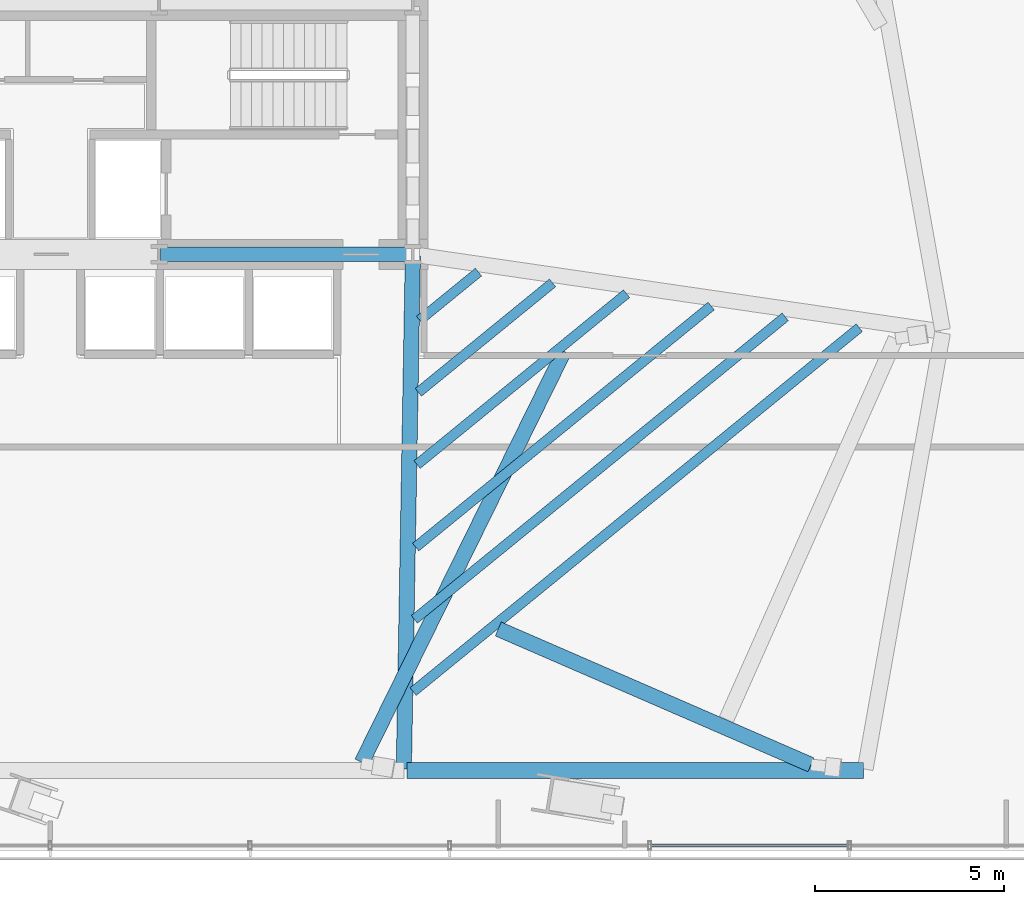
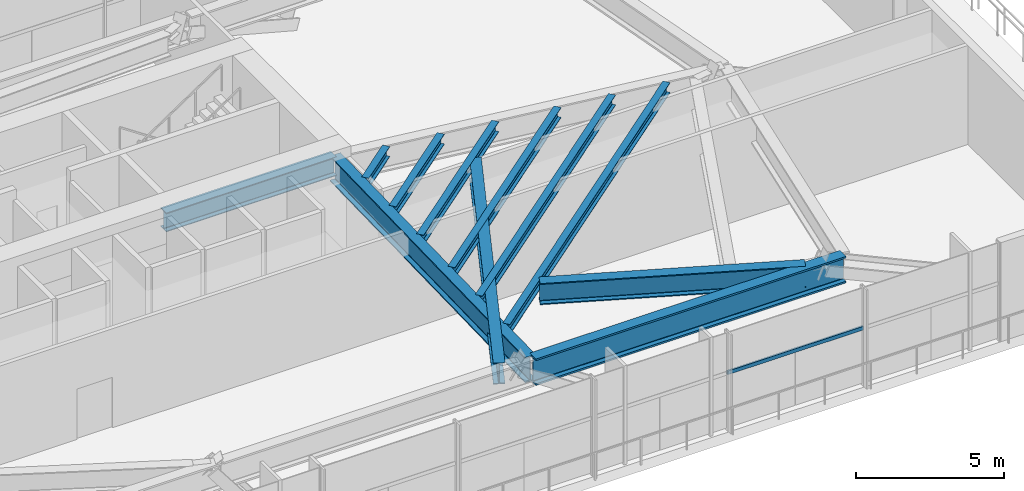
# One storey, part 14 of 29: 11 beams, 1 member, 1 element without a shape of its own.
"""IFC4 building model written with IfcOpenShell, lengths in metres."""

from ifc_helpers import new_model, si_unit, direction, frame, origin, origin_2d, place, context, subcontext, project, spatial, hollow_rectangle, i_section, extrude, source, transform, mapped, material, material_profile, profile_set, type_object, type_shapes, element, aggregate, save


model = new_model("IFC4")

# Units and contexts
model_context = context("Model", 3, precision=1e-05, world=origin(), true_north=direction((0.0, 1.0)))
body_context = subcontext(model_context, "Body", "Model", "MODEL_VIEW")
ifc_project = project(units=[si_unit("LENGTHUNIT", "METRE"), si_unit("AREAUNIT", "SQUARE_METRE"), si_unit("VOLUMEUNIT", "CUBIC_METRE"), si_unit("PLANEANGLEUNIT", "RADIAN"), si_unit("MASSUNIT", "GRAM", prefix="KILO")], contexts=[model_context])

# Site, building, storey
site_placement = place(None, origin())
site = spatial("IfcSite", under=ifc_project, at=site_placement, CompositionType="ELEMENT")
building_placement = place(site_placement, origin())
building = spatial("IfcBuilding", under=site, at=building_placement, Name="Astriad Promenade Condominiums", CompositionType="ELEMENT")
storey_placement = place(building_placement, frame((0.0, 0.0, 18.5)))
storey = spatial("IfcBuildingStorey", under=building, at=storey_placement, Name="L04", CompositionType="ELEMENT", Elevation=18.5)

# Beams
ifc_material_1 = material(Name="Steel ASTM A992 Grade 50", Category="steel")
ifc_material_profile_1 = material_profile(ifc_material_1, i_section(OverallWidth=0.3837890625, OverallDepth=0.785888671875, WebThickness=0.019775390625, FlangeThickness=0.033447265625, FilletRadius=0.021484375, at=origin_2d()), Name="W30X211")
ifc_profile_set_1 = profile_set([ifc_material_profile_1], Name="Steel ASTM A992 Grade 50")
beam_type_1 = type_object("IfcBeamType", Name="STEEL FLOOR GIRDER W30X211", PredefinedType="BEAM", material=ifc_profile_set_1)
shared_shape_1 = source(origin(), body_context, "Body", "SweptSolid", [
    extrude(i_section(OverallWidth=0.3837890625, OverallDepth=0.785888671875, WebThickness=0.019775390625, FlangeThickness=0.033447265625, FilletRadius=0.021484375, at=origin_2d()), origin(), (0.0, 0.0, 1.0), 6.64013671875),
])
type_shapes(beam_type_1, [shared_shape_1])
beam_1_placement = place(storey_placement, frame((38.919921875, 17.39990234375, 3.68701171875), z_axis=(1.0, 0.0, 0.0), x_axis=(0.0, 1.0, 0.0)))
element("IfcBeam", 1, at=beam_1_placement, inside=storey, type_object=beam_type_1, Name="Core Ring Beam CG-S3-L04", PredefinedType="BEAM", context=body_context, shape_type="MappedRepresentation", body=[
    mapped(shared_shape_1, transform((0.0, 0.0, 0.0), scale=1.0)),
])
ifc_material_profile_2 = material_profile(ifc_material_1, i_section(OverallWidth=0.4169921875, OverallDepth=1.093505859375, WebThickness=0.0390625, FlangeThickness=0.070068359375, FilletRadius=0.025390625, at=origin_2d()), Name="W40X503")
ifc_profile_set_2 = profile_set([ifc_material_profile_2], Name="Steel ASTM A992 Grade 50")
beam_type_2 = type_object("IfcBeamType", Name="STEEL TRANSFER GIRDER W40X503", PredefinedType="BEAM", material=ifc_profile_set_2)
shared_shape_2 = source(origin(), body_context, "Body", "SweptSolid", [
    extrude(i_section(OverallWidth=0.4169921875, OverallDepth=1.093505859375, WebThickness=0.0390625, FlangeThickness=0.070068359375, FilletRadius=0.025390625, at=origin_2d()), origin(), (0.0, 0.0, 1.0), 12.09033203125),
])
type_shapes(beam_type_2, [shared_shape_2])
beam_2_placement = place(storey_placement, frame((45.439208984375, 3.732666015625, 3.533203125), z_axis=(1.0, 0.0, 0.0), x_axis=(0.0, 1.0, 0.0)))
element("IfcBeam", 2, at=beam_2_placement, inside=storey, type_object=beam_type_2, Name="Perimeter Spandrel Beam SP-S4-L04", PredefinedType="BEAM", context=body_context, shape_type="MappedRepresentation", body=[
    mapped(shared_shape_2, transform((0.0, 0.0, 0.0), scale=1.0)),
])
ifc_material_profile_3 = material_profile(ifc_material_1, i_section(OverallWidth=0.404052734375, OverallDepth=1.046142578125, WebThickness=0.025390625, FlangeThickness=0.0458984375, FilletRadius=0.025390625, at=origin_2d()), Name="W40X324")
ifc_profile_set_3 = profile_set([ifc_material_profile_3], Name="Steel ASTM A992 Grade 50")
beam_type_3 = type_object("IfcBeamType", Name="STEEL TRANSFER GIRDER W40X324", PredefinedType="BEAM", material=ifc_profile_set_3)
shared_shape_3 = source(origin(), body_context, "Body", "SweptSolid", [
    extrude(i_section(OverallWidth=0.404052734375, OverallDepth=1.046142578125, WebThickness=0.025390625, FlangeThickness=0.0458984375, FilletRadius=0.025390625, at=origin_2d()), origin(), (0.0, 0.0, 1.0), 13.583251953125),
])
type_shapes(beam_type_3, [shared_shape_3])
beam_3_placement = place(storey_placement, frame((45.361083984375, 3.779052734375, 3.556884765625), z_axis=(0.017542421317, 0.999846119888, 0.0), x_axis=(-0.999846119888, 0.017542421317, 0.0)))
element("IfcBeam", 3, at=beam_3_placement, inside=storey, type_object=beam_type_3, Name="Primary Floor Girder PG-E2-L04", PredefinedType="BEAM", context=body_context, shape_type="MappedRepresentation", body=[
    mapped(shared_shape_3, transform((0.0, 0.0, 0.0), scale=1.0)),
])
ifc_material_profile_4 = material_profile(ifc_material_1, i_section(OverallWidth=0.26318359375, OverallDepth=0.425537109375, WebThickness=0.01318359375, FlangeThickness=0.022216796875, FilletRadius=0.013916015625, at=origin_2d()), Name="W16X89")
ifc_profile_set_4 = profile_set([ifc_material_profile_4], Name="Steel ASTM A992 Grade 50")
beam_type_4 = type_object("IfcBeamType", Name="STEEL FLOOR JOIST W16X89", PredefinedType="JOIST", material=ifc_profile_set_4)
shared_shape_4 = source(origin(), body_context, "Body", "SweptSolid", [
    extrude(i_section(OverallWidth=0.26318359375, OverallDepth=0.425537109375, WebThickness=0.01318359375, FlangeThickness=0.022216796875, FilletRadius=0.013916015625, at=origin_2d()), origin(), (0.0, 0.0, 1.0), 15.2451171875),
])
beam_4_placement = place(storey_placement, frame((45.606689453125, 5.8251953125, 3.8671875), z_axis=(0.774928181521, 0.63204929672, 0.0), x_axis=(-0.63204929672, 0.774928181521, 0.0)))
element("IfcBeam", 4, at=beam_4_placement, inside=storey, type_object=beam_type_4, Name="Secondary Composite Floor Joist JE1-1-L04", PredefinedType="JOIST", context=body_context, shape_type="MappedRepresentation", body=[
    mapped(shared_shape_4, transform((0.0, 0.0, 0.0), scale=1.0)),
])
shared_shape_5 = source(origin(), body_context, "Body", "SweptSolid", [
    extrude(i_section(OverallWidth=0.26318359375, OverallDepth=0.425537109375, WebThickness=0.01318359375, FlangeThickness=0.022216796875, FilletRadius=0.013916015625, at=origin_2d()), origin(), (0.0, 0.0, 1.0), 12.67236328125),
])
beam_5_placement = place(storey_placement, frame((45.64013671875, 7.737548828125, 3.8671875), z_axis=(0.774926355114, 0.632051535992, 0.0), x_axis=(-0.632051535992, 0.774926355114, 0.0)))
element("IfcBeam", 5, at=beam_5_placement, inside=storey, type_object=beam_type_4, Name="Secondary Composite Floor Joist JE1-2-L04", PredefinedType="JOIST", context=body_context, shape_type="MappedRepresentation", body=[
    mapped(shared_shape_5, transform((0.0, 0.0, 0.0), scale=1.0)),
])
shared_shape_6 = source(origin(), body_context, "Body", "SweptSolid", [
    extrude(i_section(OverallWidth=0.26318359375, OverallDepth=0.425537109375, WebThickness=0.01318359375, FlangeThickness=0.022216796875, FilletRadius=0.013916015625, at=origin_2d()), origin(), (0.0, 0.0, 1.0), 10.0986328125),
])
beam_6_placement = place(storey_placement, frame((45.673828125, 9.650146484375, 3.8671875), z_axis=(0.774916123185, 0.632064080635, 0.0), x_axis=(-0.632064080635, 0.774916123185, 0.0)))
element("IfcBeam", 6, at=beam_6_placement, inside=storey, type_object=beam_type_4, Name="Secondary Composite Floor Joist JE1-3-L04", PredefinedType="JOIST", context=body_context, shape_type="MappedRepresentation", body=[
    mapped(shared_shape_6, transform((0.0, 0.0, 0.0), scale=1.0)),
])
shared_shape_7 = source(origin(), body_context, "Body", "SweptSolid", [
    extrude(i_section(OverallWidth=0.26318359375, OverallDepth=0.425537109375, WebThickness=0.01318359375, FlangeThickness=0.022216796875, FilletRadius=0.013916015625, at=origin_2d()), origin(), (0.0, 0.0, 1.0), 7.15771484375),
])
beam_7_placement = place(storey_placement, frame((45.712158203125, 11.8359375, 3.8671875), z_axis=(0.774913820032, 0.63206690431, 0.0), x_axis=(-0.63206690431, 0.774913820032, 0.0)))
element("IfcBeam", 7, at=beam_7_placement, inside=storey, type_object=beam_type_4, Name="Secondary Composite Floor Joist JE1-4-L04", PredefinedType="JOIST", context=body_context, shape_type="MappedRepresentation", body=[
    mapped(shared_shape_7, transform((0.0, 0.0, 0.0), scale=1.0)),
])
shared_shape_8 = source(origin(), body_context, "Body", "SweptSolid", [
    extrude(i_section(OverallWidth=0.26318359375, OverallDepth=0.425537109375, WebThickness=0.01318359375, FlangeThickness=0.022216796875, FilletRadius=0.013916015625, at=origin_2d()), origin(), (0.0, 0.0, 1.0), 4.58447265625),
])
beam_8_placement = place(storey_placement, frame((45.74560546875, 13.74853515625, 3.8671875), z_axis=(0.774952876927, 0.632019017549, 0.0), x_axis=(-0.632019017549, 0.774952876927, 0.0)))
element("IfcBeam", 8, at=beam_8_placement, inside=storey, type_object=beam_type_4, Name="Secondary Composite Floor Joist JE1-5-L04", PredefinedType="JOIST", context=body_context, shape_type="MappedRepresentation", body=[
    mapped(shared_shape_8, transform((0.0, 0.0, 0.0), scale=1.0)),
])
shared_shape_9 = source(origin(), body_context, "Body", "SweptSolid", [
    extrude(i_section(OverallWidth=0.26318359375, OverallDepth=0.425537109375, WebThickness=0.01318359375, FlangeThickness=0.022216796875, FilletRadius=0.013916015625, at=origin_2d()), origin(), (0.0, 0.0, 1.0), 2.010986328125),
])
type_shapes(beam_type_4, [shared_shape_4, shared_shape_5, shared_shape_6, shared_shape_7, shared_shape_8, shared_shape_9])
beam_9_placement = place(storey_placement, frame((45.779296875, 15.660888671875, 3.8671875), z_axis=(0.774875974133, 0.632113300534, 0.0), x_axis=(-0.632113300534, 0.774875974133, 0.0)))
element("IfcBeam", 9, at=beam_9_placement, inside=storey, type_object=beam_type_4, Name="Secondary Composite Floor Joist JE1-6-L04", PredefinedType="JOIST", context=body_context, shape_type="MappedRepresentation", body=[
    mapped(shared_shape_9, transform((0.0, 0.0, 0.0), scale=1.0)),
])
ifc_material_profile_5 = material_profile(ifc_material_1, i_section(OverallWidth=0.4013671875, OverallDepth=0.877197265625, WebThickness=0.022216796875, FlangeThickness=0.039794921875, FilletRadius=0.02294921875, at=origin_2d()), Name="W33X263")
ifc_profile_set_5 = profile_set([ifc_material_profile_5], Name="Steel ASTM A992 Grade 50")
beam_type_5 = type_object("IfcBeamType", Name="STEEL TRANSFER CARRIER GIRDER W33X263", PredefinedType="BEAM", material=ifc_profile_set_5)
shared_shape_10 = source(origin(), body_context, "Body", "SweptSolid", [
    extrude(i_section(OverallWidth=0.4013671875, OverallDepth=0.877197265625, WebThickness=0.022216796875, FlangeThickness=0.039794921875, FilletRadius=0.02294921875, at=origin_2d()), origin(), (0.0, 0.0, 1.0), 12.131103515625),
])
beam_10_placement = place(storey_placement, frame((49.603759765625, 14.834716796875, 3.641357421875), z_axis=(-0.441529254166, -0.897246854391, 0.0), x_axis=(0.897246854391, -0.441529254166, 0.0)))
element("IfcBeam", 10, at=beam_10_placement, inside=storey, type_object=beam_type_5, Name="Transfer Splice Carrier TRM-SP-PC04-L04", PredefinedType="BEAM", context=body_context, shape_type="MappedRepresentation", body=[
    mapped(shared_shape_10, transform((0.0, 0.0, 0.0), scale=1.0)),
])
shared_shape_11 = source(origin(), body_context, "Body", "SweptSolid", [
    extrude(i_section(OverallWidth=0.4013671875, OverallDepth=0.877197265625, WebThickness=0.022216796875, FlangeThickness=0.039794921875, FilletRadius=0.02294921875, at=origin_2d()), origin(), (0.0, 0.0, 1.0), 9.02734375),
])
type_shapes(beam_type_5, [shared_shape_10, shared_shape_11])
beam_11_placement = place(storey_placement, frame((47.861083984375, 7.482666015625, 3.641357421875), z_axis=(0.917214892412, -0.398392822648, 0.0), x_axis=(0.398392822648, 0.917214892412, 0.0)))
element("IfcBeam", 11, at=beam_11_placement, inside=storey, type_object=beam_type_5, Name="Transfer Splice Carrier TRM-SP-PC05-L04", PredefinedType="BEAM", context=body_context, shape_type="MappedRepresentation", body=[
    mapped(shared_shape_11, transform((0.0, 0.0, 0.0), scale=1.0)),
])

# Curtain wall, member
ifc_material_2 = material(Name="Anodised aluminium Black Dark Glass Unitised", Category="aluminium")
curtain_wall_type = type_object("IfcCurtainWallType", Name="CW-POD-DARK", PredefinedType="USERDEFINED", material=ifc_material_2)
curtain_wall_placement = place(storey_placement, origin())
curtain_wall = element("IfcCurtainWall", 12, at=curtain_wall_placement, inside=storey, type_object=curtain_wall_type, Name="CW-L04-S", ObjectType="UNITISED_CURTAIN_WALL", PredefinedType="USERDEFINED")
ifc_material_3 = material(Name="Anodised aluminium 6063-T6 Black", Category="aluminium")
ifc_material_profile_6 = material_profile(ifc_material_3, hollow_rectangle(XDim=0.074951171875, YDim=0.14990234375, WallThickness=0.004150390625, at=origin_2d()), Name="ALU-TRN-75X150")
ifc_profile_set_6 = profile_set([ifc_material_profile_6], Name="Anodised aluminium 6063-T6 Black")
member_type = type_object("IfcMemberType", Name="TRN-ALU-TRN-75X150", PredefinedType="USERDEFINED", material=ifc_profile_set_6)
shared_shape_12 = source(origin(), body_context, "Body", "SweptSolid", [
    extrude(hollow_rectangle(XDim=0.074951171875, YDim=0.14990234375, WallThickness=0.004150390625, at=origin_2d()), origin(), (0.0, 0.0, 1.0), 5.289794921875),
])
type_shapes(member_type, [shared_shape_12])
member_placement = place(storey_placement, frame((57.159912109375, 1.75, 2.35009765625), z_axis=(-1.0, 0.0, 0.0), x_axis=(0.0, -1.0, 0.0)))
member = element("IfcMember", 13, at=member_placement, type_object=member_type, Name="CW-L04-S-TRN-01-0", ObjectType="TRANSOM", PredefinedType="USERDEFINED", context=body_context, shape_type="MappedRepresentation", body=[
    mapped(shared_shape_12, transform((0.0, 0.0, 0.0), scale=1.0)),
])
aggregate(curtain_wall, [member])

save(model, "model.ifc")
